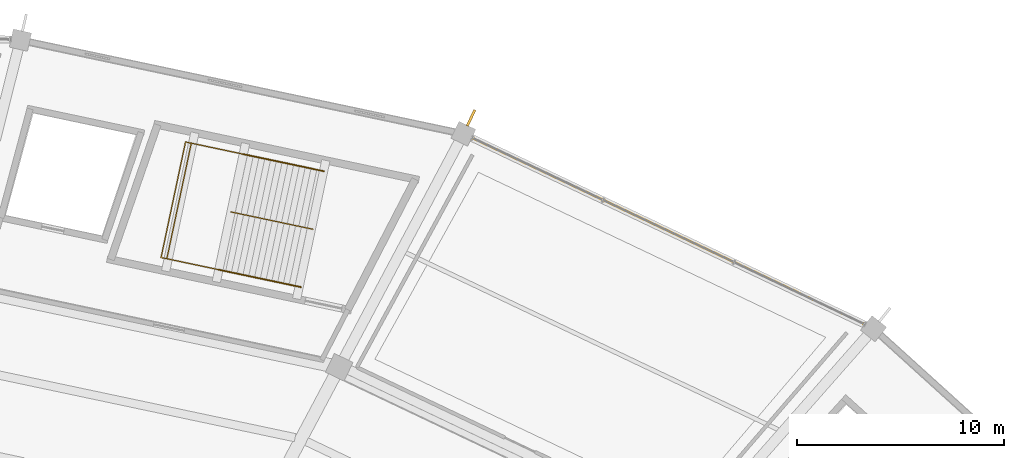
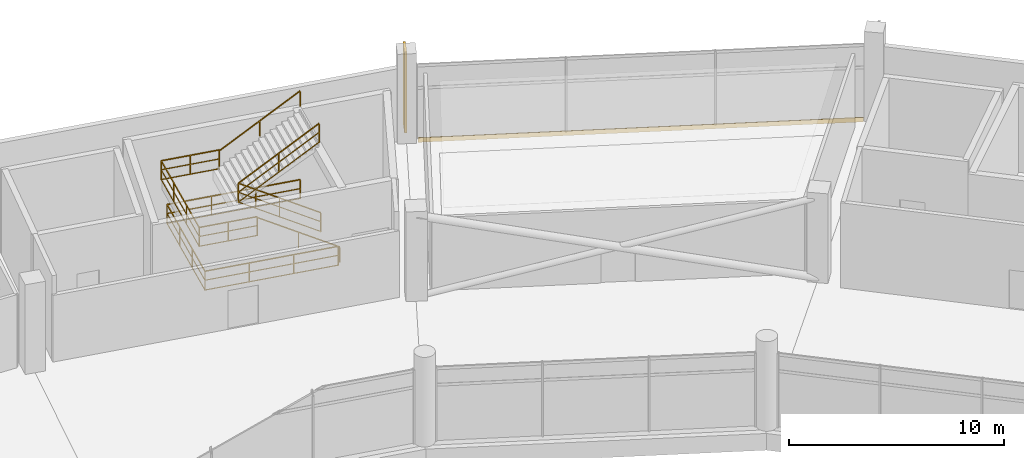
# One storey, part 184 of 184: 5 railings, 1 covering, 1 shading device.
"""IFC4 building model written with IfcOpenShell, lengths in metres."""

from ifc_helpers import new_model, si_unit, direction, frame, origin, origin_2d, place, context, subcontext, project, spatial, rectangle, extrude, material, layer, layer_set, type_object, element, save


model = new_model("IFC4")

# Units and contexts
model_context = context("Model", 3, precision=1e-05, world=origin(), true_north=direction((0.0, 1.0)))
body_context = subcontext(model_context, "Body", "Model", "MODEL_VIEW")
ifc_project = project(units=[si_unit("LENGTHUNIT", "METRE"), si_unit("AREAUNIT", "SQUARE_METRE"), si_unit("VOLUMEUNIT", "CUBIC_METRE"), si_unit("PLANEANGLEUNIT", "RADIAN"), si_unit("MASSUNIT", "GRAM", prefix="KILO")], contexts=[model_context])

# Site, building, storey
site_placement = place(None, origin())
site = spatial("IfcSite", under=ifc_project, at=site_placement, CompositionType="ELEMENT")
building_placement = place(site_placement, origin())
building = spatial("IfcBuilding", under=site, at=building_placement, Name="Kazemori Nagisa Stadium", CompositionType="ELEMENT")
storey_placement = place(building_placement, frame((0.0, 0.0, 10.5400390625)))
storey = spatial("IfcBuildingStorey", under=building, at=storey_placement, Name="L02", CompositionType="ELEMENT", Elevation=10.5400390625)

# Covering
ifc_material_1 = material(Name="Anodised aluminium 6063-T5", Category="aluminium")
ifc_layer = layer(ifc_material_1, 0.034912109375, Name="Anodised aluminium 6063-T5", Category="aluminium")
ifc_layer_set = layer_set([ifc_layer], Name="Anodised aluminium 6063-T5")
covering_type = type_object("IfcCoveringType", Name="Covering_CLAD", PredefinedType="CLADDING", material=ifc_layer_set)
covering_placement = place(storey_placement, frame((175.701416015625, 177.76171875, -0.26025390625), z_axis=(0.0, 0.0, 1.0), x_axis=(-0.903215892654, 0.429186499388, 0.0)))
element("IfcCovering", 1, at=covering_placement, inside=storey, type_object=covering_type, Name="Anodised fascia cladding L02-B05", PredefinedType="CLADDING", context=body_context, shape_type="SweptSolid", body=[
    extrude(rectangle(XDim=20.814208984375, YDim=0.0400390625, at=origin_2d()), origin(), (0.0, 0.0, 1.0), 0.260009765625),
])

# Shading device
ifc_material_2 = material(Name="Aluminium 6063-T5 anodised", Category="aluminium")
shading_device_type = type_object("IfcShadingDeviceType", Name="Fin_FN02", PredefinedType="USERDEFINED", material=ifc_material_2)
shading_device_placement = place(storey_placement, frame((166.17578125, 183.234619140625, 0.0), z_axis=(0.0, 0.0, 1.0), x_axis=(0.433883739113, 0.900968867905, 0.0)))
element("IfcShadingDevice", 2, at=shading_device_placement, inside=storey, type_object=shading_device_type, Name="Aerodynamic wave shading fin L02-06", ObjectType="FIN", PredefinedType="USERDEFINED", context=body_context, shape_type="SweptSolid", body=[
    extrude(rectangle(XDim=0.85009765625, YDim=0.1201171875, at=origin_2d()), origin(), (0.0, 0.0, 1.0), 4.60009765625),
])

# Railings
ifc_material_3 = material(Name="Galvanised powder-coated steel", Category="steel")
railing_type_1 = type_object("IfcRailingType", Name="Rail_GUARD", PredefinedType="GUARDRAIL", material=ifc_material_3)
railing_1_placement = place(storey_placement, frame((157.87890625, 175.08642578125, 0.0)))
element("IfcRailing", 3, at=railing_1_placement, inside=storey, type_object=railing_type_1, Name="Stair well perimeter guard ST11-L02", PredefinedType="GUARDRAIL", context=body_context, shape_type="SweptSolid", body=[
    extrude(rectangle(XDim=0.050048828125, YDim=0.050048828125, at=origin_2d()), frame((0.0, 0.0, 1.09521484375), z_axis=(-0.978344457991, 0.206983384642, 0.0), x_axis=(-0.206983384642, -0.978344457991, 0.0)), (0.0, 0.0, 1.0), 6.525146484375),
    extrude(rectangle(XDim=0.03759765625, YDim=0.03759765625, at=origin_2d()), frame((0.0, 0.0, 0.58251953125), z_axis=(-0.978344457991, 0.206983384642, 0.0), x_axis=(-0.206983384642, -0.978344457991, 0.0)), (0.0, 0.0, 1.0), 6.525146484375),
    extrude(rectangle(XDim=0.03759765625, YDim=0.03759765625, at=origin_2d()), frame((0.0, 0.0, 0.02490234375), z_axis=(-0.978344457991, 0.206983384642, 0.0), x_axis=(-0.206983384642, -0.978344457991, 0.0)), (0.0, 0.0, 1.0), 6.525146484375),
    extrude(rectangle(XDim=0.050048828125, YDim=0.050048828125, at=origin_2d()), frame((-6.3837890625, 1.3505859375, 1.09521484375), z_axis=(0.206960167837, 0.978349369565, 0.0), x_axis=(-0.978349369565, 0.206960167837, 0.0)), (0.0, 0.0, 1.0), 5.699951171875),
    extrude(rectangle(XDim=0.03759765625, YDim=0.03759765625, at=origin_2d()), frame((-6.3837890625, 1.3505859375, 0.58251953125), z_axis=(0.206960167837, 0.978349369565, 0.0), x_axis=(-0.978349369565, 0.206960167837, 0.0)), (0.0, 0.0, 1.0), 5.699951171875),
    extrude(rectangle(XDim=0.03759765625, YDim=0.03759765625, at=origin_2d()), frame((-6.3837890625, 1.3505859375, 0.02490234375), z_axis=(0.206960167837, 0.978349369565, 0.0), x_axis=(-0.978349369565, 0.206960167837, 0.0)), (0.0, 0.0, 1.0), 5.699951171875),
    extrude(rectangle(XDim=0.050048828125, YDim=0.050048828125, at=origin_2d()), frame((-5.2041015625, 6.92724609375, 1.09521484375), z_axis=(0.978344457991, -0.206983384642, 0.0), x_axis=(0.206983384642, 0.978344457991, 0.0)), (0.0, 0.0, 1.0), 6.525146484375),
    extrude(rectangle(XDim=0.03759765625, YDim=0.03759765625, at=origin_2d()), frame((-5.2041015625, 6.92724609375, 0.58251953125), z_axis=(0.978344457991, -0.206983384642, 0.0), x_axis=(0.206983384642, 0.978344457991, 0.0)), (0.0, 0.0, 1.0), 6.525146484375),
    extrude(rectangle(XDim=0.03759765625, YDim=0.03759765625, at=origin_2d()), frame((-5.2041015625, 6.92724609375, 0.02490234375), z_axis=(0.978344457991, -0.206983384642, 0.0), x_axis=(0.206983384642, 0.978344457991, 0.0)), (0.0, 0.0, 1.0), 6.525146484375),
    extrude(rectangle(XDim=0.044921875, YDim=0.044921875, at=origin_2d()), origin(), (0.0, 0.0, 1.0), 1.070068359375),
    extrude(rectangle(XDim=0.044921875, YDim=0.044921875, at=origin_2d()), frame((-2.1279296875, 0.4501953125, 0.0)), (0.0, 0.0, 1.0), 1.070068359375),
    extrude(rectangle(XDim=0.044921875, YDim=0.044921875, at=origin_2d()), frame((-4.255859375, 0.900390625, 0.0)), (0.0, 0.0, 1.0), 1.070068359375),
    extrude(rectangle(XDim=0.044921875, YDim=0.044921875, at=origin_2d()), frame((-6.3837890625, 1.3505859375, 0.0)), (0.0, 0.0, 1.0), 1.070068359375),
    extrude(rectangle(XDim=0.044921875, YDim=0.044921875, at=origin_2d()), frame((-5.990478515625, 3.20947265625, 0.0)), (0.0, 0.0, 1.0), 1.070068359375),
    extrude(rectangle(XDim=0.044921875, YDim=0.044921875, at=origin_2d()), frame((-5.597412109375, 5.068359375, 0.0)), (0.0, 0.0, 1.0), 1.070068359375),
    extrude(rectangle(XDim=0.044921875, YDim=0.044921875, at=origin_2d()), frame((-5.2041015625, 6.92724609375, 0.0)), (0.0, 0.0, 1.0), 1.070068359375),
    extrude(rectangle(XDim=0.044921875, YDim=0.044921875, at=origin_2d()), frame((-3.076171875, 6.47705078125, 0.0)), (0.0, 0.0, 1.0), 1.070068359375),
    extrude(rectangle(XDim=0.044921875, YDim=0.044921875, at=origin_2d()), frame((-0.9482421875, 6.02685546875, 0.0)), (0.0, 0.0, 1.0), 1.070068359375),
    extrude(rectangle(XDim=0.044921875, YDim=0.044921875, at=origin_2d()), frame((1.1796875, 5.57666015625, 0.0)), (0.0, 0.0, 1.0), 1.070068359375),
])
railing_2_placement = place(storey_placement, frame((158.546875, 177.858154296875, 0.0)))
element("IfcRailing", 4, at=railing_2_placement, inside=storey, type_object=railing_type_1, Name="Stair central guard ST11-L02", PredefinedType="GUARDRAIL", context=body_context, shape_type="SweptSolid", body=[
    extrude(rectangle(XDim=0.050048828125, YDim=0.050048828125, at=origin_2d()), frame((0.0, 0.0, 1.09521484375), z_axis=(-0.827313905968, 0.175029348813, 0.533775634556), x_axis=(-0.20698195116, -0.978344761265, 0.0)), (0.0, 0.0, 1.0), 4.77734375),
    extrude(rectangle(XDim=0.03759765625, YDim=0.03759765625, at=origin_2d()), frame((0.0, 0.0, 0.58251953125), z_axis=(-0.827313905968, 0.175029348813, 0.533775634556), x_axis=(-0.20698195116, -0.978344761265, 0.0)), (0.0, 0.0, 1.0), 4.77734375),
    extrude(rectangle(XDim=0.03759765625, YDim=0.03759765625, at=origin_2d()), frame((0.0, 0.0, 0.02490234375), z_axis=(-0.827313905968, 0.175029348813, 0.533775634556), x_axis=(-0.20698195116, -0.978344761265, 0.0)), (0.0, 0.0, 1.0), 4.77734375),
    extrude(rectangle(XDim=0.050048828125, YDim=0.050048828125, at=origin_2d()), frame((-3.952392578125, 0.836181640625, 3.64501953125), z_axis=(0.822579458703, -0.174012177382, 0.54137121852), x_axis=(0.206964265166, 0.978348502807, 0.0)), (0.0, 0.0, 1.0), 4.7099609375),
    extrude(rectangle(XDim=0.03759765625, YDim=0.03759765625, at=origin_2d()), frame((-3.952392578125, 0.836181640625, 3.132568359375), z_axis=(0.822579458703, -0.174012177382, 0.54137121852), x_axis=(0.206964265166, 0.978348502807, 0.0)), (0.0, 0.0, 1.0), 4.7099609375),
    extrude(rectangle(XDim=0.03759765625, YDim=0.03759765625, at=origin_2d()), frame((-3.952392578125, 0.836181640625, 2.5751953125), z_axis=(0.822579458703, -0.174012177382, 0.54137121852), x_axis=(0.206964265166, 0.978348502807, 0.0)), (0.0, 0.0, 1.0), 4.7099609375),
    extrude(rectangle(XDim=0.044921875, YDim=0.044921875, at=origin_2d()), origin(), (0.0, 0.0, 1.0), 1.070068359375),
    extrude(rectangle(XDim=0.044921875, YDim=0.044921875, at=origin_2d()), frame((-1.97607421875, 0.41796875, 1.27490234375)), (0.0, 0.0, 1.0), 1.070068359375),
    extrude(rectangle(XDim=0.044921875, YDim=0.044921875, at=origin_2d()), frame((-3.952392578125, 0.836181640625, 2.550048828125)), (0.0, 0.0, 1.0), 1.070068359375),
    extrude(rectangle(XDim=0.044921875, YDim=0.044921875, at=origin_2d()), frame((-2.01513671875, 0.42626953125, 3.824951171875)), (0.0, 0.0, 1.0), 1.070068359375),
    extrude(rectangle(XDim=0.044921875, YDim=0.044921875, at=origin_2d()), frame((-0.078125, 0.0166015625, 5.099853515625)), (0.0, 0.0, 1.0), 1.070068359375),
])
railing_3_placement = place(storey_placement, frame((154.004638671875, 175.90625, 2.550048828125)))
element("IfcRailing", 5, at=railing_3_placement, inside=storey, type_object=railing_type_1, Name="Stair landing guard ST11-L02", PredefinedType="GUARDRAIL", context=body_context, shape_type="SweptSolid", body=[
    extrude(rectangle(XDim=0.050048828125, YDim=0.050048828125, at=origin_2d()), frame((0.0, 0.0, 1.09521484375), z_axis=(-0.978349369565, 0.206960167837, 0.0), x_axis=(-0.206960167837, -0.978349369565, 0.0)), (0.0, 0.0, 1.0), 2.85009765625),
    extrude(rectangle(XDim=0.03759765625, YDim=0.03759765625, at=origin_2d()), frame((0.0, 0.0, 0.58251953125), z_axis=(-0.978349369565, 0.206960167837, 0.0), x_axis=(-0.206960167837, -0.978349369565, 0.0)), (0.0, 0.0, 1.0), 2.85009765625),
    extrude(rectangle(XDim=0.03759765625, YDim=0.03759765625, at=origin_2d()), frame((0.0, 0.0, 0.02490234375), z_axis=(-0.978349369565, 0.206960167837, 0.0), x_axis=(-0.206960167837, -0.978349369565, 0.0)), (0.0, 0.0, 1.0), 2.85009765625),
    extrude(rectangle(XDim=0.050048828125, YDim=0.050048828125, at=origin_2d()), frame((-2.788330078125, 0.58984375, 1.09521484375), z_axis=(0.206968840618, 0.978347534884, 0.0), x_axis=(-0.978347534884, 0.206968840618, 0.0)), (0.0, 0.0, 1.0), 5.699951171875),
    extrude(rectangle(XDim=0.03759765625, YDim=0.03759765625, at=origin_2d()), frame((-2.788330078125, 0.58984375, 0.58251953125), z_axis=(0.206968840618, 0.978347534884, 0.0), x_axis=(-0.978347534884, 0.206968840618, 0.0)), (0.0, 0.0, 1.0), 5.699951171875),
    extrude(rectangle(XDim=0.03759765625, YDim=0.03759765625, at=origin_2d()), frame((-2.788330078125, 0.58984375, 0.02490234375), z_axis=(0.206968840618, 0.978347534884, 0.0), x_axis=(-0.978347534884, 0.206968840618, 0.0)), (0.0, 0.0, 1.0), 5.699951171875),
    extrude(rectangle(XDim=0.050048828125, YDim=0.050048828125, at=origin_2d()), frame((-1.608642578125, 6.166259765625, 1.09521484375), z_axis=(0.978349369565, -0.206960167837, 0.0), x_axis=(0.206960167837, 0.978349369565, 0.0)), (0.0, 0.0, 1.0), 2.85009765625),
    extrude(rectangle(XDim=0.03759765625, YDim=0.03759765625, at=origin_2d()), frame((-1.608642578125, 6.166259765625, 0.58251953125), z_axis=(0.978349369565, -0.206960167837, 0.0), x_axis=(0.206960167837, 0.978349369565, 0.0)), (0.0, 0.0, 1.0), 2.85009765625),
    extrude(rectangle(XDim=0.03759765625, YDim=0.03759765625, at=origin_2d()), frame((-1.608642578125, 6.166259765625, 0.02490234375), z_axis=(0.978349369565, -0.206960167837, 0.0), x_axis=(0.206960167837, 0.978349369565, 0.0)), (0.0, 0.0, 1.0), 2.85009765625),
    extrude(rectangle(XDim=0.044921875, YDim=0.044921875, at=origin_2d()), origin(), (0.0, 0.0, 1.0), 1.070068359375),
    extrude(rectangle(XDim=0.044921875, YDim=0.044921875, at=origin_2d()), frame((-1.39404296875, 0.294921875, 0.0)), (0.0, 0.0, 1.0), 1.070068359375),
    extrude(rectangle(XDim=0.044921875, YDim=0.044921875, at=origin_2d()), frame((-2.788330078125, 0.58984375, 0.0)), (0.0, 0.0, 1.0), 1.070068359375),
    extrude(rectangle(XDim=0.044921875, YDim=0.044921875, at=origin_2d()), frame((-2.39501953125, 2.44873046875, 0.0)), (0.0, 0.0, 1.0), 1.070068359375),
    extrude(rectangle(XDim=0.044921875, YDim=0.044921875, at=origin_2d()), frame((-2.001953125, 4.307373046875, 0.0)), (0.0, 0.0, 1.0), 1.070068359375),
    extrude(rectangle(XDim=0.044921875, YDim=0.044921875, at=origin_2d()), frame((-1.608642578125, 6.166259765625, 0.0)), (0.0, 0.0, 1.0), 1.070068359375),
    extrude(rectangle(XDim=0.044921875, YDim=0.044921875, at=origin_2d()), frame((-0.21435546875, 5.871337890625, 0.0)), (0.0, 0.0, 1.0), 1.070068359375),
    extrude(rectangle(XDim=0.044921875, YDim=0.044921875, at=origin_2d()), frame((1.1796875, 5.576416015625, 0.0)), (0.0, 0.0, 1.0), 1.070068359375),
])
ifc_material_4 = material(Name="Stainless steel SUS304", Category="steel")
railing_type_2 = type_object("IfcRailingType", Name="Rail_HAND", PredefinedType="HANDRAIL", material=ifc_material_4)
railing_4_placement = place(storey_placement, frame((157.95703125, 175.070068359375, 0.169921875)))
element("IfcRailing", 6, at=railing_4_placement, inside=storey, type_object=railing_type_2, Name="Stair handrail ST11-L02-F1", PredefinedType="HANDRAIL", context=body_context, shape_type="SweptSolid", body=[
    extrude(rectangle(XDim=0.050048828125, YDim=0.050048828125, at=origin_2d()), frame((0.0, 0.0, 0.875), z_axis=(-0.827313905968, 0.175029348813, 0.533775634556), x_axis=(-0.20698195116, -0.978344761265, 0.0)), (0.0, 0.0, 1.0), 4.77734375),
    extrude(rectangle(XDim=0.044921875, YDim=0.044921875, at=origin_2d()), origin(), (0.0, 0.0, 1.0), 0.849853515625),
    extrude(rectangle(XDim=0.044921875, YDim=0.044921875, at=origin_2d()), frame((-1.97607421875, 0.41796875, 1.27490234375)), (0.0, 0.0, 1.0), 0.849853515625),
    extrude(rectangle(XDim=0.044921875, YDim=0.044921875, at=origin_2d()), frame((-3.952392578125, 0.836181640625, 2.550048828125)), (0.0, 0.0, 1.0), 0.849853515625),
])
railing_5_placement = place(storey_placement, frame((155.184326171875, 181.482666015625, 2.719970703125)))
element("IfcRailing", 7, at=railing_5_placement, inside=storey, type_object=railing_type_2, Name="Stair handrail ST11-L02-F2", PredefinedType="HANDRAIL", context=body_context, shape_type="SweptSolid", body=[
    extrude(rectangle(XDim=0.050048828125, YDim=0.050048828125, at=origin_2d()), frame((0.0, 0.0, 0.875), z_axis=(0.822556375088, -0.174007294169, 0.54140786047), x_axis=(0.206964265166, 0.978348502807, 0.0)), (0.0, 0.0, 1.0), 4.7099609375),
    extrude(rectangle(XDim=0.044921875, YDim=0.044921875, at=origin_2d()), origin(), (0.0, 0.0, 1.0), 0.849853515625),
    extrude(rectangle(XDim=0.044921875, YDim=0.044921875, at=origin_2d()), frame((1.93701171875, -0.40966796875, 1.27490234375)), (0.0, 0.0, 1.0), 0.849853515625),
    extrude(rectangle(XDim=0.044921875, YDim=0.044921875, at=origin_2d()), frame((3.874267578125, -0.819580078125, 2.550048828125)), (0.0, 0.0, 1.0), 0.849853515625),
])

save(model, "model.ifc")
